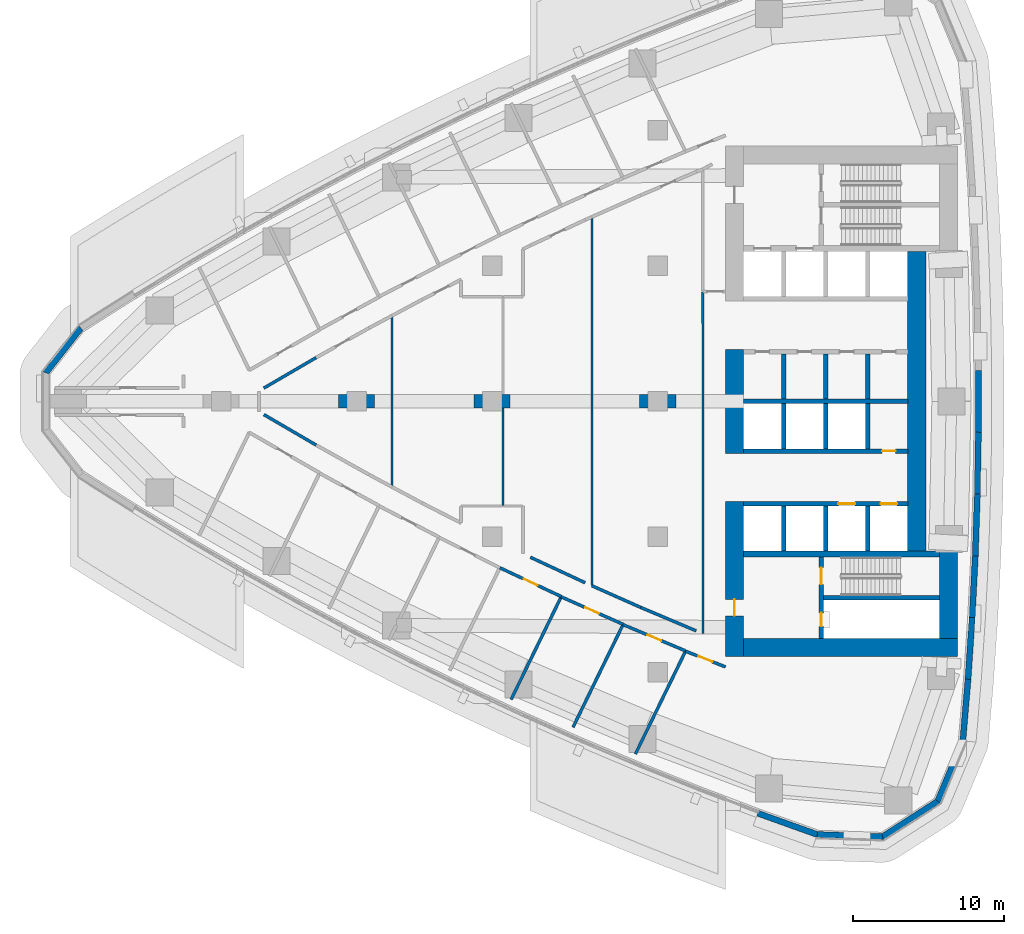
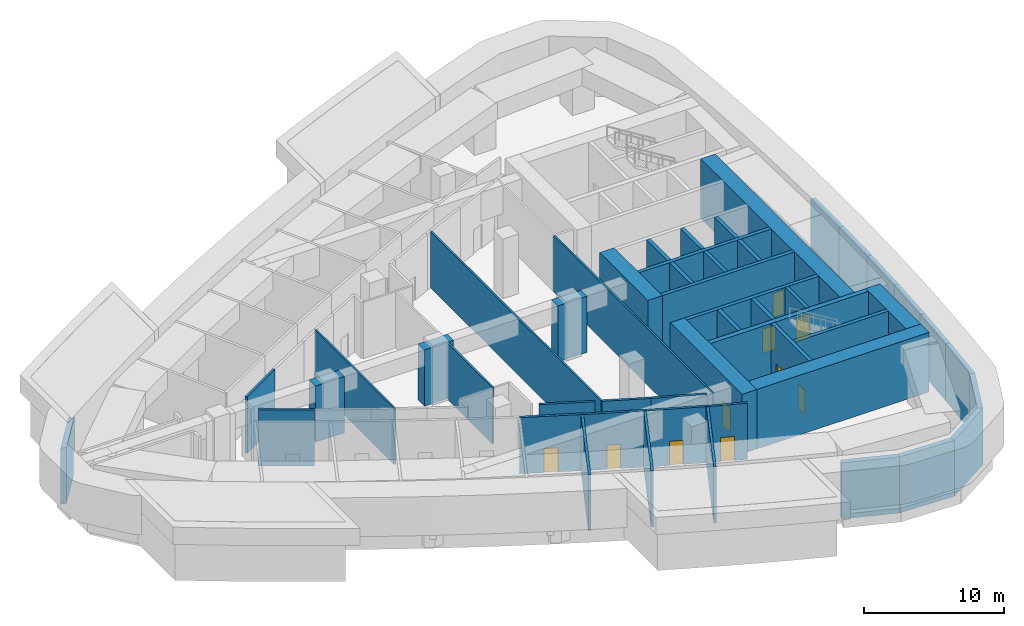
# One storey, part 10 of 17: 50 walls, 10 doors, 10 openings.
"""IFC4 building model written with IfcOpenShell, lengths in metres."""

from ifc_helpers import new_model, si_unit, direction, frame, frame_2d, origin, place, context, subcontext, project, spatial, polyline, rectangle, outline, extrude, material, layer, layer_set, type_object, element, fill, save


model = new_model("IFC4")

# Units and contexts
model_context = context("Model", 3, precision=1e-05, world=origin(), true_north=direction((0.0, 1.0)))
body_context = subcontext(model_context, "Body", "Model", "MODEL_VIEW")
ifc_project = project(units=[si_unit("LENGTHUNIT", "METRE"), si_unit("AREAUNIT", "SQUARE_METRE"), si_unit("VOLUMEUNIT", "CUBIC_METRE"), si_unit("PLANEANGLEUNIT", "RADIAN"), si_unit("MASSUNIT", "GRAM", prefix="KILO")], contexts=[model_context])

# Site, building, storey
site_placement = place(None, origin())
site = spatial("IfcSite", under=ifc_project, at=site_placement, CompositionType="ELEMENT")
building_placement = place(site_placement, origin())
building = spatial("IfcBuilding", under=site, at=building_placement, Name="Ostrand Prow Hotel Tower", CompositionType="ELEMENT")
storey_placement = place(building_placement, frame((0.0, 0.0, 75.10009765625)))
storey = spatial("IfcBuildingStorey", under=building, at=storey_placement, Name="L17", CompositionType="ELEMENT", Elevation=75.10009765625)

# Wall
ifc_material_1 = material(Name="Concrete C80/95", Category="concrete")
ifc_layer_1 = layer(ifc_material_1, 1.199951171875)
ifc_layer_set_1 = layer_set([ifc_layer_1], Name="Concrete C80/95")
wall_type_1 = type_object("IfcWallType", Name="Core wall 1200 C80/95", PredefinedType="SHEAR", material=ifc_layer_set_1)
wall_1_placement = place(storey_placement, frame((50.10009765625, -3.449951171875, 0.0), z_axis=(0.0, 0.0, 1.0), x_axis=(0.0, 1.0, 0.0)))
element("IfcWall", 1, at=wall_1_placement, inside=storey, type_object=wall_type_1, Name="Core wall CW-W-C", PredefinedType="SHEAR", context=body_context, shape_type="SweptSolid", body=[
    extrude(rectangle(XDim=6.89990234375, YDim=1.199951171875, at=frame_2d((3.449951171875, 0.0))), origin(), (0.0, 0.0, 1.0), 5.199951171875),
])

# Wall, opening, door
wall_2_placement = place(storey_placement, frame((50.10009765625, -16.949951171875, 0.0), z_axis=(0.0, 0.0, 1.0), x_axis=(0.0, 1.0, 0.0)))
wall_2 = element("IfcWall", 2, at=wall_2_placement, inside=storey, type_object=wall_type_1, Name="Core wall CW-W-S", PredefinedType="SHEAR", context=body_context, shape_type="SweptSolid", body=[
    extrude(rectangle(XDim=10.300048828125, YDim=1.199951171875, at=frame_2d((5.14990234375, 0.0))), origin(), (0.0, 0.0, 1.0), 5.199951171875),
])
opening_1_placement = place(wall_2_placement, frame((2.699951171875, 0.0, 0.0)))
opening_1 = element("IfcOpeningElement", 3, at=opening_1_placement, cuts=wall_2, Name="Opening FD1", PredefinedType="OPENING", context=body_context, shape_type="SweptSolid", body=[
    extrude(rectangle(XDim=1.10009765625, YDim=2.10009765625, at=frame_2d((0.550048828125, 1.050048828125))), frame((0.0, 0.60986328125, 0.0), z_axis=(0.0, -1.0, 0.0), x_axis=(1.0, 0.0, 0.0)), (0.0, 0.0, 1.0), 1.219970703125),
])
ifc_material_2 = material(Name="Steel fire door", Category="steel")
door_type_1 = type_object("IfcDoorType", Name="Fire door 1100 EI120", OperationType="SINGLE_SWING_RIGHT", PredefinedType="DOOR", material=ifc_material_2)
door_1_placement = place(opening_1_placement, origin())
door_1 = element("IfcDoor", 4, at=door_1_placement, inside=storey, type_object=door_type_1, Name="FIRE DOOR", OperationType="SINGLE_SWING_RIGHT", OverallHeight=2.10009765625, OverallWidth=1.10009765625, PredefinedType="DOOR", context=body_context, shape_type="SweptSolid", body=[
    extrude(rectangle(XDim=1.10009765625, YDim=2.10009765625, at=frame_2d((0.550048828125, 1.050048828125))), frame((0.0, 0.02490234375, 0.0), z_axis=(0.0, -1.0, 0.0), x_axis=(1.0, 0.0, 0.0)), (0.0, 0.0, 1.0), 0.050048828125),
])
fill(opening_1, door_1)

# Walls
wall_3_placement = place(storey_placement, frame((50.699951171875, -16.35009765625, 0.0), z_axis=(0.0, 0.0, 1.0), x_axis=(1.0, 0.0, 0.0)))
element("IfcWall", 5, at=wall_3_placement, inside=storey, type_object=wall_type_1, Name="Core wall CW-S", PredefinedType="SHEAR", context=body_context, shape_type="SweptSolid", body=[
    extrude(rectangle(XDim=14.219970703125, YDim=1.199951171875, at=frame_2d((7.10986328125, 0.0))), origin(), (0.0, 0.0, 1.0), 5.199951171875),
])
wall_4_placement = place(storey_placement, frame((64.320068359375, -15.75, 0.0), z_axis=(0.0, 0.0, 1.0), x_axis=(0.0, 1.0, 0.0)))
element("IfcWall", 6, at=wall_4_placement, inside=storey, type_object=wall_type_1, Name="Core wall CW-E-S", PredefinedType="SHEAR", context=body_context, shape_type="SweptSolid", body=[
    extrude(rectangle(XDim=5.800048828125, YDim=1.199951171875, at=frame_2d((2.89990234375, 0.0))), origin(), (0.0, 0.0, 1.0), 5.199951171875),
])
wall_5_placement = place(storey_placement, frame((62.199951171875, -9.949951171875, 0.0), z_axis=(0.0, 0.0, 1.0), x_axis=(0.0, 1.0, 0.0)))
element("IfcWall", 7, at=wall_5_placement, inside=storey, type_object=wall_type_1, Name="Core wall CW-E-C", PredefinedType="SHEAR", context=body_context, shape_type="SweptSolid", body=[
    extrude(rectangle(XDim=19.89990234375, YDim=1.199951171875, at=frame_2d((9.949951171875, 0.0))), origin(), (0.0, 0.0, 1.0), 5.199951171875),
])
ifc_material_3 = material(Name="Concrete C80/95", Category="concrete")
ifc_layer_2 = layer(ifc_material_3, 0.300048828125)
ifc_layer_set_2 = layer_set([ifc_layer_2], Name="Concrete C80/95")
wall_type_2 = type_object("IfcWallType", Name="Core wall 300 C80/95", PredefinedType="SHEAR", material=ifc_layer_set_2)
wall_6_placement = place(storey_placement, frame((50.699951171875, 0.0, 0.0), z_axis=(0.0, 0.0, 1.0), x_axis=(1.0, 0.0, 0.0)))
element("IfcWall", 8, at=wall_6_placement, inside=storey, type_object=wall_type_2, Name="Core wall PW-C", PredefinedType="SHEAR", context=body_context, shape_type="SweptSolid", body=[
    extrude(rectangle(XDim=10.900146484375, YDim=0.300048828125, at=frame_2d((5.4501953125, 0.0))), origin(), (0.0, 0.0, 1.0), 5.199951171875),
])
for number, where, z_axis, x_axis, name in (
    (9, (53.35009765625, 0.14990234375, 0.0), (0.0, 0.0, 1.0), (0.0, 1.0, 0.0), "Core wall PW-R1-NB"),
    (10, (56.14990234375, 0.14990234375, 0.0), (0.0, 0.0, 1.0), (0.0, 1.0, 0.0), "Core wall PW-R2-NB"),
    (11, (58.949951171875, 0.14990234375, 0.0), (0.0, 0.0, 1.0), (0.0, 1.0, 0.0), "Core wall PW-R3-NB"),
):
    element("IfcWall", number, at=place(storey_placement, frame(where, z_axis=z_axis, x_axis=x_axis)), inside=storey, type_object=wall_type_2, Name=name, PredefinedType="SHEAR", context=body_context, shape_type="SweptSolid", body=[
        extrude(rectangle(XDim=3.0, YDim=0.300048828125, at=frame_2d((1.5, 0.0))), origin(), (0.0, 0.0, 1.0), 5.199951171875),
    ])

# Wall, opening, door
wall_7_placement = place(storey_placement, frame((50.699951171875, -3.300048828125, 0.0), z_axis=(0.0, 0.0, 1.0), x_axis=(1.0, 0.0, 0.0)))
wall_7 = element("IfcWall", 12, at=wall_7_placement, inside=storey, type_object=wall_type_2, Name="Core wall PW-L1-S", PredefinedType="SHEAR", context=body_context, shape_type="SweptSolid", body=[
    extrude(rectangle(XDim=10.900146484375, YDim=0.300048828125, at=frame_2d((5.4501953125, 0.0))), origin(), (0.0, 0.0, 1.0), 5.199951171875),
])
opening_2_placement = place(wall_7_placement, frame((9.199951171875, 0.0, 0.0)))
opening_2 = element("IfcOpeningElement", 13, at=opening_2_placement, cuts=wall_7, Name="Opening FD2", PredefinedType="OPENING", context=body_context, shape_type="SweptSolid", body=[
    extrude(rectangle(XDim=0.89990234375, YDim=2.10009765625, at=frame_2d((0.449951171875, 1.050048828125))), frame((0.0, 0.159912109375, 0.0), z_axis=(0.0, -1.0, 0.0), x_axis=(1.0, 0.0, 0.0)), (0.0, 0.0, 1.0), 0.320068359375),
])
ifc_material_4 = material(Name="Steel fire door", Category="steel")
door_type_2 = type_object("IfcDoorType", Name="Fire door 900 EI120", OperationType="SINGLE_SWING_LEFT", PredefinedType="DOOR", material=ifc_material_4)
door_2_placement = place(opening_2_placement, origin())
door_2 = element("IfcDoor", 14, at=door_2_placement, inside=storey, type_object=door_type_2, Name="DOOR", OperationType="SINGLE_SWING_LEFT", OverallHeight=2.10009765625, OverallWidth=0.89990234375, PredefinedType="DOOR", context=body_context, shape_type="SweptSolid", body=[
    extrude(rectangle(XDim=0.89990234375, YDim=2.10009765625, at=frame_2d((0.449951171875, 1.050048828125))), frame((0.0, 0.02490234375, 0.0), z_axis=(0.0, -1.0, 0.0), x_axis=(1.0, 0.0, 0.0)), (0.0, 0.0, 1.0), 0.050048828125),
])
fill(opening_2, door_2)

# Wall, openings, doors
wall_8_placement = place(storey_placement, frame((50.699951171875, -6.800048828125, 0.0), z_axis=(0.0, 0.0, 1.0), x_axis=(1.0, 0.0, 0.0)))
wall_8 = element("IfcWall", 15, at=wall_8_placement, inside=storey, type_object=wall_type_2, Name="Core wall PW-L2-S", PredefinedType="SHEAR", context=body_context, shape_type="SweptSolid", body=[
    extrude(rectangle(XDim=10.900146484375, YDim=0.300048828125, at=frame_2d((5.4501953125, 0.0))), origin(), (0.0, 0.0, 1.0), 5.199951171875),
])
opening_3_placement = place(wall_8_placement, frame((6.300048828125, 0.0, 0.0)))
opening_3 = element("IfcOpeningElement", 16, at=opening_3_placement, cuts=wall_8, Name="Opening LD", PredefinedType="OPENING", context=body_context, shape_type="SweptSolid", body=[
    extrude(rectangle(XDim=1.10009765625, YDim=2.10009765625, at=frame_2d((0.550048828125, 1.050048828125))), frame((0.0, 0.159912109375, 0.0), z_axis=(0.0, -1.0, 0.0), x_axis=(1.0, 0.0, 0.0)), (0.0, 0.0, 1.0), 0.320068359375),
])
opening_4_placement = place(wall_8_placement, frame((9.10009765625, 0.0, 0.0)))
opening_4 = element("IfcOpeningElement", 17, at=opening_4_placement, cuts=wall_8, Name="Opening LD", PredefinedType="OPENING", context=body_context, shape_type="SweptSolid", body=[
    extrude(rectangle(XDim=1.10009765625, YDim=2.10009765625, at=frame_2d((0.550048828125, 1.050048828125))), frame((0.0, 0.159912109375, 0.0), z_axis=(0.0, -1.0, 0.0), x_axis=(1.0, 0.0, 0.0)), (0.0, 0.0, 1.0), 0.320068359375),
])
ifc_material_5 = material(Name="Stainless steel door", Category="steel")
door_type_3 = type_object("IfcDoorType", Name="Lift landing door 1100", OperationType="DOUBLE_DOOR_SLIDING", PredefinedType="DOOR", material=ifc_material_5)
door_3_placement = place(opening_3_placement, origin())
door_3 = element("IfcDoor", 18, at=door_3_placement, inside=storey, type_object=door_type_3, Name="LIFT LANDING DOOR", OperationType="DOUBLE_DOOR_SLIDING", OverallHeight=2.10009765625, OverallWidth=1.10009765625, PredefinedType="DOOR", context=body_context, shape_type="SweptSolid", body=[
    extrude(rectangle(XDim=1.10009765625, YDim=2.10009765625, at=frame_2d((0.550048828125, 1.050048828125))), frame((0.0, 0.02490234375, 0.0), z_axis=(0.0, -1.0, 0.0), x_axis=(1.0, 0.0, 0.0)), (0.0, 0.0, 1.0), 0.050048828125),
])
fill(opening_3, door_3)
door_4_placement = place(opening_4_placement, origin())
door_4 = element("IfcDoor", 19, at=door_4_placement, inside=storey, type_object=door_type_3, Name="LIFT LANDING DOOR", OperationType="DOUBLE_DOOR_SLIDING", OverallHeight=2.10009765625, OverallWidth=1.10009765625, PredefinedType="DOOR", context=body_context, shape_type="SweptSolid", body=[
    extrude(rectangle(XDim=1.10009765625, YDim=2.10009765625, at=frame_2d((0.550048828125, 1.050048828125))), frame((0.0, 0.02490234375, 0.0), z_axis=(0.0, -1.0, 0.0), x_axis=(1.0, 0.0, 0.0)), (0.0, 0.0, 1.0), 0.050048828125),
])
fill(opening_4, door_4)

# Walls
for number, where, z_axis, x_axis, name in (
    (20, (53.35009765625, -3.14990234375, 0.0), (0.0, 0.0, 1.0), (0.0, 1.0, 0.0), "Core wall PW-R1-SB"),
    (21, (53.35009765625, -9.949951171875, 0.0), (0.0, 0.0, 1.0), (0.0, 1.0, 0.0), "Core wall PW-R1-SA"),
    (22, (56.14990234375, -3.14990234375, 0.0), (0.0, 0.0, 1.0), (0.0, 1.0, 0.0), "Core wall PW-R2-SB"),
    (23, (56.14990234375, -9.949951171875, 0.0), (0.0, 0.0, 1.0), (0.0, 1.0, 0.0), "Core wall PW-R2-SA"),
    (24, (58.949951171875, -3.14990234375, 0.0), (0.0, 0.0, 1.0), (0.0, 1.0, 0.0), "Core wall PW-R3-SB"),
    (25, (58.949951171875, -9.949951171875, 0.0), (0.0, 0.0, 1.0), (0.0, 1.0, 0.0), "Core wall PW-R3-SA"),
):
    element("IfcWall", number, at=place(storey_placement, frame(where, z_axis=z_axis, x_axis=x_axis)), inside=storey, type_object=wall_type_2, Name=name, PredefinedType="SHEAR", context=body_context, shape_type="SweptSolid", body=[
        extrude(rectangle(XDim=3.0, YDim=0.300048828125, at=frame_2d((1.5, 0.0))), origin(), (0.0, 0.0, 1.0), 5.199951171875),
    ])

# Wall, openings, doors
wall_9_placement = place(storey_placement, frame((55.85009765625, -15.75, 0.0), z_axis=(0.0, 0.0, 1.0), x_axis=(0.0, 1.0, 0.0)))
wall_9 = element("IfcWall", 26, at=wall_9_placement, inside=storey, type_object=wall_type_2, Name="Core wall PW-VS", PredefinedType="SHEAR", context=body_context, shape_type="SweptSolid", body=[
    extrude(rectangle(XDim=5.39990234375, YDim=0.300048828125, at=frame_2d((2.699951171875, 0.0))), origin(), (0.0, 0.0, 1.0), 5.199951171875),
])
opening_5_placement = place(wall_9_placement, frame((3.60009765625, 0.0, 0.0)))
opening_5 = element("IfcOpeningElement", 27, at=opening_5_placement, cuts=wall_9, Name="Opening FD1", PredefinedType="OPENING", context=body_context, shape_type="SweptSolid", body=[
    extrude(rectangle(XDim=1.10009765625, YDim=2.10009765625, at=frame_2d((0.550048828125, 1.050048828125))), frame((0.0, 0.159912109375, 0.0), z_axis=(0.0, -1.0, 0.0), x_axis=(1.0, 0.0, 0.0)), (0.0, 0.0, 1.0), 0.320068359375),
])
opening_6_placement = place(wall_9_placement, frame((0.800048828125, 0.0, 0.0)))
opening_6 = element("IfcOpeningElement", 28, at=opening_6_placement, cuts=wall_9, Name="Opening FD2", PredefinedType="OPENING", context=body_context, shape_type="SweptSolid", body=[
    extrude(rectangle(XDim=0.89990234375, YDim=2.10009765625, at=frame_2d((0.449951171875, 1.050048828125))), frame((0.0, 0.159912109375, 0.0), z_axis=(0.0, -1.0, 0.0), x_axis=(1.0, 0.0, 0.0)), (0.0, 0.0, 1.0), 0.320068359375),
])
door_5_placement = place(opening_5_placement, origin())
door_5 = element("IfcDoor", 29, at=door_5_placement, inside=storey, type_object=door_type_1, Name="FIRE DOOR", OperationType="SINGLE_SWING_RIGHT", OverallHeight=2.10009765625, OverallWidth=1.10009765625, PredefinedType="DOOR", context=body_context, shape_type="SweptSolid", body=[
    extrude(rectangle(XDim=1.10009765625, YDim=2.10009765625, at=frame_2d((0.550048828125, 1.050048828125))), frame((0.0, 0.02490234375, 0.0), z_axis=(0.0, -1.0, 0.0), x_axis=(1.0, 0.0, 0.0)), (0.0, 0.0, 1.0), 0.050048828125),
])
fill(opening_5, door_5)
door_6_placement = place(opening_6_placement, origin())
door_6 = element("IfcDoor", 30, at=door_6_placement, inside=storey, type_object=door_type_2, Name="FIRE DOOR", OperationType="SINGLE_SWING_LEFT", OverallHeight=2.10009765625, OverallWidth=0.89990234375, PredefinedType="DOOR", context=body_context, shape_type="SweptSolid", body=[
    extrude(rectangle(XDim=0.89990234375, YDim=2.10009765625, at=frame_2d((0.449951171875, 1.050048828125))), frame((0.0, 0.02490234375, 0.0), z_axis=(0.0, -1.0, 0.0), x_axis=(1.0, 0.0, 0.0)), (0.0, 0.0, 1.0), 0.050048828125),
])
fill(opening_6, door_6)

# Walls
wall_10_placement = place(storey_placement, frame((56.0, -13.050048828125, 0.0), z_axis=(0.0, 0.0, 1.0), x_axis=(1.0, 0.0, 0.0)))
element("IfcWall", 31, at=wall_10_placement, inside=storey, type_object=wall_type_2, Name="Core wall PW-ST2R", PredefinedType="SHEAR", context=body_context, shape_type="SweptSolid", body=[
    extrude(rectangle(XDim=7.719970703125, YDim=0.300048828125, at=frame_2d((3.85986328125, 0.0))), origin(), (0.0, 0.0, 1.0), 5.199951171875),
])
ifc_material_6 = material(Name="Concrete C80/95", Category="concrete")
ifc_layer_3 = layer(ifc_material_6, 0.39990234375)
ifc_layer_set_3 = layer_set([ifc_layer_3], Name="Concrete C80/95")
wall_type_3 = type_object("IfcWallType", Name="Core wall 400 C80/95", PredefinedType="SHEAR", material=ifc_layer_set_3)
wall_11_placement = place(storey_placement, frame((50.699951171875, -10.14990234375, 0.0), z_axis=(0.0, 0.0, 1.0), x_axis=(1.0, 0.0, 0.0)))
element("IfcWall", 32, at=wall_11_placement, inside=storey, type_object=wall_type_3, Name="Core wall PW-BS", PredefinedType="SHEAR", context=body_context, shape_type="SweptSolid", body=[
    extrude(rectangle(XDim=13.02001953125, YDim=0.39990234375, at=frame_2d((6.510009765625, 0.0))), origin(), (0.0, 0.0, 1.0), 5.199951171875),
])
ifc_material_7 = material(Name="Concrete C80/95", Category="concrete")
ifc_layer_4 = layer(ifc_material_7, 0.89990234375)
ifc_layer_set_4 = layer_set([ifc_layer_4], Name="Concrete C80/95")
wall_type_4 = type_object("IfcWallType", Name="Outrigger wall 900 C80/95", PredefinedType="SHEAR", material=ifc_layer_set_4)
for number, where, z_axis, x_axis, name in (
    (33, (23.800048828125, 0.0, 0.0), (0.0, 0.0, 1.0), (1.0, 0.0, 0.0), "Outrigger wall A3"),
    (34, (32.800048828125, 0.0, 0.0), (0.0, 0.0, 1.0), (1.0, 0.0, 0.0), "Outrigger wall A4"),
    (35, (43.800048828125, 0.0, 0.0), (0.0, 0.0, 1.0), (1.0, 0.0, 0.0), "Outrigger wall A5"),
):
    element("IfcWall", number, at=place(storey_placement, frame(where, z_axis=z_axis, x_axis=x_axis)), inside=storey, type_object=wall_type_4, Name=name, PredefinedType="SHEAR", context=body_context, shape_type="SweptSolid", body=[
        extrude(rectangle(XDim=2.39990234375, YDim=0.89990234375, at=frame_2d((1.199951171875, 0.0))), origin(), (0.0, 0.0, 1.0), 4.89990234375),
    ])
ifc_material_8 = material(Name="Plasterboard partition")
ifc_layer_5 = layer(ifc_material_8, 0.14990234375)
ifc_layer_set_5 = layer_set([ifc_layer_5], Name="Plasterboard partition")
wall_type_5 = type_object("IfcWallType", Name="Partition 150 room partition", PredefinedType="PARTITIONING", material=ifc_layer_set_5)
wall_12_placement = place(storey_placement, frame((27.35009765625, -5.68359375, 0.0), z_axis=(0.0, 0.0, 1.0), x_axis=(0.0, 1.0, 0.0)))
element("IfcWall", 36, at=wall_12_placement, inside=storey, type_object=wall_type_5, Name="ROOM PARTITION", PredefinedType="PARTITIONING", context=body_context, shape_type="SweptSolid", body=[
    extrude(rectangle(XDim=11.3671875, YDim=0.14990234375, at=frame_2d((5.68359375, 0.0))), origin(), (0.0, 0.0, 1.0), 4.89990234375),
])
wall_13_placement = place(storey_placement, frame((34.72509765625, -6.949951171875, 0.0), z_axis=(0.0, 0.0, 1.0), x_axis=(0.0, 1.0, 0.0)))
element("IfcWall", 37, at=wall_13_placement, inside=storey, type_object=wall_type_5, Name="ROOM PARTITION", PredefinedType="PARTITIONING", context=body_context, shape_type="SweptSolid", body=[
    extrude(rectangle(XDim=6.5, YDim=0.14990234375, at=frame_2d((3.25, 0.0))), origin(), (0.0, 0.0, 1.0), 4.89990234375),
])
wall_14_placement = place(storey_placement, frame((40.625, -12.24560546875, 0.0), z_axis=(0.0, 0.0, 1.0), x_axis=(0.0, 1.0, 0.0)))
element("IfcWall", 38, at=wall_14_placement, inside=storey, type_object=wall_type_5, Name="ROOM PARTITION", PredefinedType="PARTITIONING", context=body_context, shape_type="SweptSolid", body=[
    extrude(rectangle(XDim=24.381591796875, YDim=0.14990234375, at=frame_2d((12.19091796875, 0.0))), origin(), (0.0, 0.0, 1.0), 4.89990234375),
])
wall_15_placement = place(storey_placement, frame((47.9951171875, 7.260498046875, 0.0), z_axis=(0.0, 0.0, 1.0), x_axis=(0.000215345517, -0.999999976813, 0.0)))
element("IfcWall", 39, at=wall_15_placement, inside=storey, type_object=wall_type_5, Name="ROOM PARTITION", PredefinedType="PARTITIONING", context=body_context, shape_type="SweptSolid", body=[
    extrude(rectangle(XDim=22.67431640625, YDim=0.14990234375, at=frame_2d((11.337158203125, 0.0))), origin(), (0.0, 0.0, 1.0), 4.89990234375),
])

# Wall, opening, door
ifc_material_9 = material(Name="Plasterboard partition")
ifc_layer_6 = layer(ifc_material_9, 0.199951171875)
ifc_layer_set_6 = layer_set([ifc_layer_6], Name="Plasterboard partition")
wall_type_6 = type_object("IfcWallType", Name="Partition 200 corridor wall", PredefinedType="PARTITIONING", material=ifc_layer_set_6)
wall_16_placement = place(storey_placement, frame((34.51220703125, -11.0517578125, 0.0), z_axis=(0.0, 0.0, 1.0), x_axis=(0.905585758423, -0.424163216394, 0.0)))
wall_16 = element("IfcWall", 40, at=wall_16_placement, inside=storey, type_object=wall_type_6, Name="CORRIDOR WALL", PredefinedType="PARTITIONING", context=body_context, shape_type="SweptSolid", body=[
    extrude(rectangle(XDim=4.5068359375, YDim=0.199951171875, at=frame_2d((2.25341796875, 0.0))), origin(), (0.0, 0.0, 1.0), 4.89990234375),
])
opening_7_placement = place(wall_16_placement, frame((1.75341796875, 0.0, 0.0)))
opening_7 = element("IfcOpeningElement", 41, at=opening_7_placement, cuts=wall_16, Name="Opening D1", PredefinedType="OPENING", context=body_context, shape_type="SweptSolid", body=[
    extrude(rectangle(XDim=1.0, YDim=2.10009765625, at=frame_2d((0.5, 1.050048828125))), frame((0.0, 0.10986328125, 0.0), z_axis=(0.0, -1.0, 0.0), x_axis=(1.0, 0.0, 0.0)), (0.0, 0.0, 1.0), 0.219970703125),
])
ifc_material_10 = material(Name="Timber door leaf", Category="wood")
door_type_4 = type_object("IfcDoorType", Name="Guest room door 1000", OperationType="SINGLE_SWING_LEFT", PredefinedType="DOOR", material=ifc_material_10)
door_7_placement = place(opening_7_placement, origin())
door_7 = element("IfcDoor", 42, at=door_7_placement, inside=storey, type_object=door_type_4, Name="DOOR", OperationType="SINGLE_SWING_LEFT", OverallHeight=2.10009765625, OverallWidth=1.0, PredefinedType="DOOR", context=body_context, shape_type="SweptSolid", body=[
    extrude(rectangle(XDim=1.0, YDim=2.10009765625, at=frame_2d((0.5, 1.050048828125))), frame((0.0, 0.02490234375, 0.0), z_axis=(0.0, -1.0, 0.0), x_axis=(1.0, 0.0, 0.0)), (0.0, 0.0, 1.0), 0.050048828125),
])
fill(opening_7, door_7)

wall_17_placement = place(storey_placement, frame((38.584716796875, -12.981201171875, 0.0), z_axis=(0.0, 0.0, 1.0), x_axis=(0.914010307464, -0.40569096348, 0.0)))
wall_17 = element("IfcWall", 43, at=wall_17_placement, inside=storey, type_object=wall_type_6, Name="CORRIDOR WALL", PredefinedType="PARTITIONING", context=body_context, shape_type="SweptSolid", body=[
    extrude(rectangle(XDim=4.505615234375, YDim=0.199951171875, at=frame_2d((2.2529296875, 0.0))), origin(), (0.0, 0.0, 1.0), 4.89990234375),
])
opening_8_placement = place(wall_17_placement, frame((1.752685546875, 0.0, 0.0)))
opening_8 = element("IfcOpeningElement", 44, at=opening_8_placement, cuts=wall_17, Name="Opening D1R", PredefinedType="OPENING", context=body_context, shape_type="SweptSolid", body=[
    extrude(rectangle(XDim=1.0, YDim=2.10009765625, at=frame_2d((0.5, 1.050048828125))), frame((0.0, 0.10986328125, 0.0), z_axis=(0.0, -1.0, 0.0), x_axis=(1.0, 0.0, 0.0)), (0.0, 0.0, 1.0), 0.219970703125),
])
ifc_material_11 = material(Name="Timber door leaf", Category="wood")
door_type_5 = type_object("IfcDoorType", Name="Guest room door 1000 right", OperationType="SINGLE_SWING_RIGHT", PredefinedType="DOOR", material=ifc_material_11)
door_8_placement = place(opening_8_placement, origin())
door_8 = element("IfcDoor", 45, at=door_8_placement, inside=storey, type_object=door_type_5, Name="DOOR", OperationType="SINGLE_SWING_RIGHT", OverallHeight=2.10009765625, OverallWidth=1.0, PredefinedType="DOOR", context=body_context, shape_type="SweptSolid", body=[
    extrude(rectangle(XDim=1.0, YDim=2.10009765625, at=frame_2d((0.5, 1.050048828125))), frame((0.0, 0.02490234375, 0.0), z_axis=(0.0, -1.0, 0.0), x_axis=(1.0, 0.0, 0.0)), (0.0, 0.0, 1.0), 0.050048828125),
])
fill(opening_8, door_8)

wall_18_placement = place(storey_placement, frame((42.694091796875, -14.8271484375, 0.0), z_axis=(0.0, 0.0, 1.0), x_axis=(0.922040468003, -0.38709349693, 0.0)))
wall_18 = element("IfcWall", 46, at=wall_18_placement, inside=storey, type_object=wall_type_6, Name="CORRIDOR WALL", PredefinedType="PARTITIONING", context=body_context, shape_type="SweptSolid", body=[
    extrude(rectangle(XDim=4.509521484375, YDim=0.199951171875, at=frame_2d((2.2548828125, 0.0))), origin(), (0.0, 0.0, 1.0), 4.89990234375),
])
opening_9_placement = place(wall_18_placement, frame((1.7548828125, 0.0, 0.0)))
opening_9 = element("IfcOpeningElement", 47, at=opening_9_placement, cuts=wall_18, Name="Opening D1", PredefinedType="OPENING", context=body_context, shape_type="SweptSolid", body=[
    extrude(rectangle(XDim=1.0, YDim=2.10009765625, at=frame_2d((0.5, 1.050048828125))), frame((0.0, 0.10986328125, 0.0), z_axis=(0.0, -1.0, 0.0), x_axis=(1.0, 0.0, 0.0)), (0.0, 0.0, 1.0), 0.219970703125),
])
door_9_placement = place(opening_9_placement, origin())
door_9 = element("IfcDoor", 48, at=door_9_placement, inside=storey, type_object=door_type_4, Name="DOOR", OperationType="SINGLE_SWING_LEFT", OverallHeight=2.10009765625, OverallWidth=1.0, PredefinedType="DOOR", context=body_context, shape_type="SweptSolid", body=[
    extrude(rectangle(XDim=1.0, YDim=2.10009765625, at=frame_2d((0.5, 1.050048828125))), frame((0.0, 0.02490234375, 0.0), z_axis=(0.0, -1.0, 0.0), x_axis=(1.0, 0.0, 0.0)), (0.0, 0.0, 1.0), 0.050048828125),
])
fill(opening_9, door_9)

wall_19_placement = place(storey_placement, frame((46.843505859375, -16.5908203125, 0.0), z_axis=(0.0, 0.0, 1.0), x_axis=(0.930538245236, -0.366194721634, 0.0)))
wall_19 = element("IfcWall", 49, at=wall_19_placement, inside=storey, type_object=wall_type_6, Name="CORRIDOR WALL", PredefinedType="PARTITIONING", context=body_context, shape_type="SweptSolid", body=[
    extrude(rectangle(XDim=2.854736328125, YDim=0.199951171875, at=frame_2d((1.42724609375, 0.0))), origin(), (0.0, 0.0, 1.0), 4.89990234375),
])
opening_10_placement = place(wall_19_placement, frame((0.927490234375, 0.0, 0.0)))
opening_10 = element("IfcOpeningElement", 50, at=opening_10_placement, cuts=wall_19, Name="Opening D1R", PredefinedType="OPENING", context=body_context, shape_type="SweptSolid", body=[
    extrude(rectangle(XDim=1.0, YDim=2.10009765625, at=frame_2d((0.5, 1.050048828125))), frame((0.0, 0.10986328125, 0.0), z_axis=(0.0, -1.0, 0.0), x_axis=(1.0, 0.0, 0.0)), (0.0, 0.0, 1.0), 0.219970703125),
])
door_10_placement = place(opening_10_placement, origin())
door_10 = element("IfcDoor", 51, at=door_10_placement, inside=storey, type_object=door_type_5, Name="DOOR", OperationType="SINGLE_SWING_RIGHT", OverallHeight=2.10009765625, OverallWidth=1.0, PredefinedType="DOOR", context=body_context, shape_type="SweptSolid", body=[
    extrude(rectangle(XDim=1.0, YDim=2.10009765625, at=frame_2d((0.5, 1.050048828125))), frame((0.0, 0.02490234375, 0.0), z_axis=(0.0, -1.0, 0.0), x_axis=(1.0, 0.0, 0.0)), (0.0, 0.0, 1.0), 0.050048828125),
])
fill(opening_10, door_10)

# Walls
for number, where, z_axis, x_axis, name in (
    (52, (22.31201171875, -2.903076171875, 0.0), (0.0, 0.0, 1.0), (-0.863710538269, 0.503988200341, 0.0), "CORRIDOR WALL"),
    (53, (18.843505859375, 0.879150390625, 0.0), (0.0, 0.0, 1.0), (0.863710538269, 0.503988200341, 0.0), "CORRIDOR WALL"),
):
    element("IfcWall", number, at=place(storey_placement, frame(where, z_axis=z_axis, x_axis=x_axis)), inside=storey, type_object=wall_type_6, Name=name, PredefinedType="PARTITIONING", context=body_context, shape_type="SweptSolid", body=[
        extrude(rectangle(XDim=4.015869140625, YDim=0.199951171875, at=frame_2d((2.0078125, 0.0))), origin(), (0.0, 0.0, 1.0), 4.89990234375),
    ])
for number, where, z_axis, x_axis, name in (
    (54, (40.1796875, -12.0478515625, 0.0), (0.0, 0.0, 1.0), (-0.906347708834, 0.42253263861, 0.0), "CORRIDOR WALL"),
    (55, (47.549560546875, -15.239013671875, 0.0), (0.0, 0.0, 1.0), (-0.921269894054, 0.388923877269, 0.0), "CORRIDOR WALL"),
):
    element("IfcWall", number, at=place(storey_placement, frame(where, z_axis=z_axis, x_axis=x_axis)), inside=storey, type_object=wall_type_6, Name=name, PredefinedType="PARTITIONING", context=body_context, shape_type="SweptSolid", body=[
        extrude(rectangle(XDim=4.015625, YDim=0.199951171875, at=frame_2d((2.0078125, 0.0))), origin(), (0.0, 0.0, 1.0), 4.89990234375),
    ])
wall_20_placement = place(storey_placement, frame((43.85009765625, -13.67724609375, 0.0), z_axis=(0.0, 0.0, 1.0), x_axis=(-0.913994059627, 0.405727567423, 0.0)))
element("IfcWall", 56, at=wall_20_placement, inside=storey, type_object=wall_type_6, Name="CORRIDOR WALL", PredefinedType="PARTITIONING", context=body_context, shape_type="SweptSolid", body=[
    extrude(rectangle(XDim=3.528564453125, YDim=0.199951171875, at=frame_2d((1.76416015625, 0.0))), origin(), (0.0, 0.0, 1.0), 4.89990234375),
])
ifc_material_12 = material(Name="Plasterboard partition")
ifc_layer_7 = layer(ifc_material_12, 0.199951171875)
ifc_layer_set_7 = layer_set([ifc_layer_7], Name="Plasterboard partition")
wall_type_7 = type_object("IfcWallType", Name="Partition 200 key partition", PredefinedType="PARTITIONING", material=ifc_layer_set_7)
wall_21_placement = place(storey_placement, frame((35.2626953125, -19.7958984375, 0.0), z_axis=(0.0, 0.0, 1.0), x_axis=(0.438197705697, 0.898878618459, 0.0)))
element("IfcWall", 57, at=wall_21_placement, inside=storey, type_object=wall_type_7, Name="KEY PARTITION", PredefinedType="PARTITIONING", context=body_context, shape_type="SweptSolid", body=[
    extrude(rectangle(XDim=7.60107421875, YDim=0.199951171875, at=frame_2d((3.800537109375, 0.0))), origin(), (0.0, 0.0, 1.0), 4.89990234375),
])
wall_22_placement = place(storey_placement, frame((39.370361328125, -21.64501953125, 0.0), z_axis=(0.0, 0.0, 1.0), x_axis=(0.438202247191, 0.898876404494, 0.0)))
element("IfcWall", 58, at=wall_22_placement, inside=storey, type_object=wall_type_7, Name="KEY PARTITION", PredefinedType="PARTITIONING", context=body_context, shape_type="SweptSolid", body=[
    extrude(rectangle(XDim=7.60498046875, YDim=0.199951171875, at=frame_2d((3.802490234375, 0.0))), origin(), (0.0, 0.0, 1.0), 4.89990234375),
])
wall_23_placement = place(storey_placement, frame((43.516845703125, -23.414306640625, 0.0), z_axis=(0.0, 0.0, 1.0), x_axis=(0.438196739796, 0.898879089328, 0.0)))
element("IfcWall", 59, at=wall_23_placement, inside=storey, type_object=wall_type_7, Name="KEY PARTITION", PredefinedType="PARTITIONING", context=body_context, shape_type="SweptSolid", body=[
    extrude(rectangle(XDim=7.611083984375, YDim=0.199951171875, at=frame_2d((3.8056640625, 0.0))), origin(), (0.0, 0.0, 1.0), 4.89990234375),
])
ifc_material_13 = material(Name="Precast concrete C40/50", Category="concrete")
ifc_layer_8 = layer(ifc_material_13, 0.39990234375)
ifc_layer_set_8 = layer_set([ifc_layer_8], Name="Precast concrete C40/50")
wall_type_8 = type_object("IfcWallType", Name="Stone-faced precast wall 400 mm", PredefinedType="NOTDEFINED", material=ifc_layer_set_8)
wall_24_placement = place(storey_placement, frame((6.697998046875, 4.86962890625, 0.0), z_axis=(0.0, 0.0, 1.0), x_axis=(-0.616586647779, -0.787287054245, 0.0)))
element("IfcWall", 60, at=wall_24_placement, inside=storey, type_object=wall_type_8, Name="Stone-faced wall prow 2", PredefinedType="NOTDEFINED", context=body_context, shape_type="SweptSolid", body=[
    extrude(outline(polyline([(-0.034423828125, -0.199951171875), (3.85205078125, -0.199951171875), (3.7138671875, 0.199951171875), (0.034423828125, 0.199951171875), (-0.034423828125, -0.199951171875)])), origin(), (0.0, 0.0, 1.0), 4.89990234375),
])
wall_25_placement = place(storey_placement, frame((51.639892578125, -27.3515625, 0.0), z_axis=(0.0, 0.0, 1.0), x_axis=(0.941339752885, -0.337460323057, 0.0)))
element("IfcWall", 61, at=wall_25_placement, inside=storey, type_object=wall_type_8, Name="Stone-faced wall back 1", PredefinedType="NOTDEFINED", context=body_context, shape_type="SweptSolid", body=[
    extrude(outline(polyline([(0.0, -0.199951171875), (4.2275390625, -0.199951171875), (4.16455078125, 0.199951171875), (0.0, 0.199951171875), (0.0, -0.199951171875)])), origin(), (0.0, 0.0, 1.0), 4.89990234375),
])
wall_26_placement = place(storey_placement, frame((55.58984375, -28.767578125, 0.0), z_axis=(0.0, 0.0, 1.0), x_axis=(0.999463576228, -0.032749958686, 0.0)))
element("IfcWall", 62, at=wall_26_placement, inside=storey, type_object=wall_type_8, Name="Stone-faced wall back 2", PredefinedType="NOTDEFINED", context=body_context, shape_type="SweptSolid", body=[
    extrude(outline(polyline([(-0.031494140625, -0.199951171875), (4.40869140625, -0.199951171875), (4.28369140625, 0.199951171875), (0.031494140625, 0.199951171875), (-0.031494140625, -0.199951171875)])), origin(), (0.0, 0.0, 1.0), 4.89990234375),
])
wall_27_placement = place(storey_placement, frame((59.93359375, -28.909912109375, 0.0), z_axis=(0.0, 0.0, 1.0), x_axis=(0.840937468718, 0.541132307025, 0.0)))
element("IfcWall", 63, at=wall_27_placement, inside=storey, type_object=wall_type_8, Name="Stone-faced wall back 3", PredefinedType="NOTDEFINED", context=body_context, shape_type="SweptSolid", body=[
    extrude(outline(polyline([(-0.0625, -0.199951171875), (4.40869140625, -0.199951171875), (4.28369140625, 0.199951171875), (0.0625, 0.199951171875), (-0.0625, -0.199951171875)])), origin(), (0.0, 0.0, 1.0), 4.89990234375),
])
wall_28_placement = place(storey_placement, frame((63.58837890625, -26.55810546875, 0.0), z_axis=(0.0, 0.0, 1.0), x_axis=(0.384372042685, 0.923178277908, 0.0)))
element("IfcWall", 64, at=wall_28_placement, inside=storey, type_object=wall_type_8, Name="Stone-faced wall back 4", PredefinedType="NOTDEFINED", context=body_context, shape_type="SweptSolid", body=[
    extrude(outline(polyline([(-0.0625, -0.199951171875), (4.376953125, -0.199951171875), (4.314453125, 0.199951171875), (0.0625, 0.199951171875), (-0.0625, -0.199951171875)])), origin(), (0.0, 0.0, 1.0), 4.89990234375),
])
wall_29_placement = place(storey_placement, frame((65.2587890625, -22.546142578125, 0.0), z_axis=(0.0, 0.0, 1.0), x_axis=(0.083793550906, 0.996483136248, 0.0)))
element("IfcWall", 65, at=wall_29_placement, inside=storey, type_object=wall_type_8, Name="Stone-faced wall back 5", PredefinedType="NOTDEFINED", context=body_context, shape_type="SweptSolid", body=[
    extrude(outline(polyline([(-0.03125, -0.199951171875), (4.10693359375, -0.199951171875), (4.103515625, 0.199951171875), (0.03125, 0.199951171875), (-0.03125, -0.199951171875)])), origin(), (0.0, 0.0, 1.0), 4.89990234375),
])
for number, where, z_axis, x_axis, name in (
    (66, (65.602783203125, -18.455322265625, 0.0), (0.0, 0.0, 1.0), (0.067087430225, 0.997747100575, 0.0), "Stone-faced wall back 6"),
    (67, (65.878173828125, -14.359619140625, 0.0), (0.0, 0.0, 1.0), (0.050314326423, 0.998733432181, 0.0), "Stone-faced wall back 7"),
    (68, (66.084716796875, -10.259765625, 0.0), (0.0, 0.0, 1.0), (0.033542554696, 0.999437290191, 0.0), "Stone-faced wall back 8"),
    (69, (66.222412109375, -6.156982421875, 0.0), (0.0, 0.0, 1.0), (0.016830829972, 0.999858351549, 0.0), "Stone-faced wall back 9"),
    (70, (66.29150390625, -2.052490234375, 0.0), (0.0, 0.0, 1.0), (0.0, 1.0, 0.0), "Stone-faced wall back 10"),
):
    element("IfcWall", number, at=place(storey_placement, frame(where, z_axis=z_axis, x_axis=x_axis)), inside=storey, type_object=wall_type_8, Name=name, PredefinedType="NOTDEFINED", context=body_context, shape_type="SweptSolid", body=[
        extrude(outline(polyline([(-0.001708984375, -0.199951171875), (4.106689453125, -0.199951171875), (4.103271484375, 0.199951171875), (0.001708984375, 0.199951171875), (-0.001708984375, -0.199951171875)])), origin(), (0.0, 0.0, 1.0), 4.89990234375),
    ])

save(model, "model.ifc")
